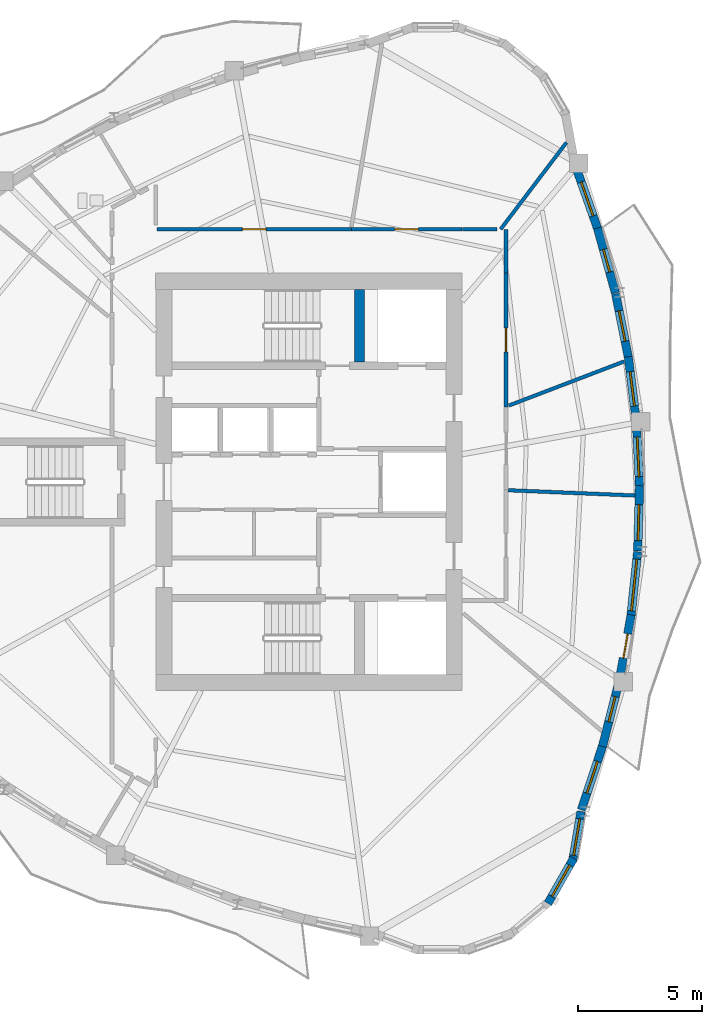
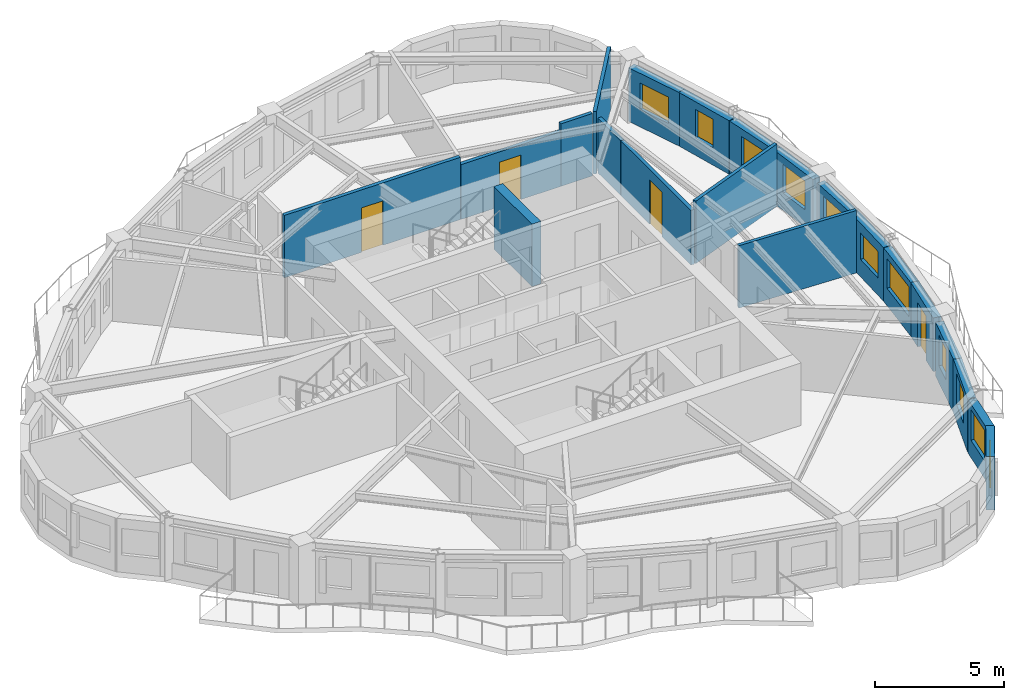
# One storey, part 6 of 11: 21 walls, 11 windows, 4 doors, 15 openings.
"""IFC4 building model written with IfcOpenShell, lengths in metres."""

from ifc_helpers import new_model, si_unit, direction, frame, frame_2d, origin, place, context, subcontext, project, spatial, rectangle, extrude, source, transform, mapped, material, layer, layer_set, type_object, element, fill, save


model = new_model("IFC4")

# Units and contexts
model_context = context("Model", 3, precision=1e-05, world=origin(), true_north=direction((0.0, 1.0)))
body_context = subcontext(model_context, "Body", "Model", "MODEL_VIEW")
ifc_project = project(units=[si_unit("LENGTHUNIT", "METRE"), si_unit("AREAUNIT", "SQUARE_METRE"), si_unit("VOLUMEUNIT", "CUBIC_METRE"), si_unit("PLANEANGLEUNIT", "RADIAN"), si_unit("MASSUNIT", "GRAM", prefix="KILO")], contexts=[model_context])

# Site, building, storey
site_placement = place(None, origin())
site = spatial("IfcSite", under=ifc_project, at=site_placement, CompositionType="ELEMENT")
building_placement = place(site_placement, origin())
building = spatial("IfcBuilding", under=site, at=building_placement, Name="Qafzar Sky-Pleat Residences", CompositionType="ELEMENT")
storey_placement = place(building_placement, frame((0.0, 0.0, 165.0)))
storey = spatial("IfcBuildingStorey", under=building, at=storey_placement, Name="L49", CompositionType="ELEMENT", Elevation=165.0)

# Wall, opening, door
ifc_material_1 = material(Name="Acoustic gypsum plasterboard partition", Category="gypsum")
ifc_layer_1 = layer(ifc_material_1, 0.159912109375)
ifc_layer_set_1 = layer_set([ifc_layer_1], Name="Acoustic gypsum plasterboard partition")
wall_type_1 = type_object("IfcWallType", Name="PART-COR-160", PredefinedType="PARTITIONING", material=ifc_layer_set_1)
wall_1_placement = place(storey_placement, frame((24.200927734375, 36.22998046875, 0.0), z_axis=(0.0, 0.0, 1.0), x_axis=(1.0, 0.0, 0.0)))
wall_1 = element("IfcWall", 1, at=wall_1_placement, inside=storey, type_object=wall_type_1, Name="L49 Partition Wall PART-L49-PW-002", PredefinedType="PARTITIONING", context=body_context, shape_type="SweptSolid", body=[
    extrude(rectangle(XDim=7.8681640625, YDim=0.159912109375, at=frame_2d((3.93408203125, 0.0))), origin(), (0.0, 0.0, 1.0), 2.949951171875),
])
opening_1_placement = place(wall_1_placement, frame((3.45556640625, 0.0, 0.0)))
opening_1 = element("IfcOpeningElement", 2, at=opening_1_placement, cuts=wall_1, Name="Opening ID-06", PredefinedType="OPENING", context=body_context, shape_type="SweptSolid", body=[
    extrude(rectangle(XDim=0.9599609375, YDim=2.10009765625, at=frame_2d((0.47998046875, 1.050048828125))), frame((0.0, 0.08984375, 0.0), z_axis=(0.0, -1.0, 0.0), x_axis=(1.0, 0.0, 0.0)), (0.0, 0.0, 1.0), 0.179931640625),
])
ifc_material_2 = material(Name="Timber-faced fire door", Category="wood")
door_type_1 = type_object("IfcDoorType", Name="DR-STD-960", OperationType="NOTDEFINED", PredefinedType="DOOR", material=ifc_material_2)
shared_shape_1 = source(origin(), body_context, "Body", "SweptSolid", [
    extrude(rectangle(XDim=0.9599609375, YDim=2.10009765625, at=frame_2d((0.47998046875, 1.050048828125))), frame((0.0, 0.02490234375, 0.0), z_axis=(0.0, -1.0, 0.0), x_axis=(1.0, 0.0, 0.0)), (0.0, 0.0, 1.0), 0.050048828125),
])
door_1_placement = place(opening_1_placement, origin())
door_1 = element("IfcDoor", 3, at=door_1_placement, inside=storey, type_object=door_type_1, Name="L49 Postdoctoral Admin Office Door", OperationType="SINGLE_SWING_LEFT", OverallHeight=2.10009765625, OverallWidth=0.9599609375, PredefinedType="DOOR", context=body_context, shape_type="MappedRepresentation", body=[
    mapped(shared_shape_1, transform((0.0, 0.0, 0.0), x_axis=(1.0, 0.0, 0.0), y_axis=(0.0, 1.0, 0.0), z_axis=(0.0, 0.0, 1.0), scale=1.0)),
])
fill(opening_1, door_1)

wall_2_placement = place(storey_placement, frame((38.330078125, 34.449951171875, 0.0), z_axis=(0.0, 0.0, 1.0), x_axis=(0.0, -1.0, 0.0)))
wall_2 = element("IfcWall", 4, at=wall_2_placement, inside=storey, type_object=wall_type_1, Name="L49 Partition Wall PART-L49-PW-003", PredefinedType="PARTITIONING", context=body_context, shape_type="SweptSolid", body=[
    extrude(rectangle(XDim=5.416015625, YDim=0.159912109375, at=frame_2d((2.7080078125, 0.0))), origin(), (0.0, 0.0, 1.0), 2.587890625),
])
opening_2_placement = place(wall_2_placement, frame((2.220458984375, 0.0, 0.0)))
opening_2 = element("IfcOpeningElement", 5, at=opening_2_placement, cuts=wall_2, Name="Opening ID-06", PredefinedType="OPENING", context=body_context, shape_type="SweptSolid", body=[
    extrude(rectangle(XDim=0.9599609375, YDim=2.10009765625, at=frame_2d((0.47998046875, 1.050048828125))), frame((0.0, 0.08984375, 0.0), z_axis=(0.0, -1.0, 0.0), x_axis=(1.0, 0.0, 0.0)), (0.0, 0.0, 1.0), 0.179931640625),
])
door_2_placement = place(opening_2_placement, origin())
door_2 = element("IfcDoor", 6, at=door_2_placement, inside=storey, type_object=door_type_1, Name="L49 Media Screening Room Door", OperationType="SINGLE_SWING_RIGHT", OverallHeight=2.10009765625, OverallWidth=0.9599609375, PredefinedType="DOOR", context=body_context, shape_type="MappedRepresentation", body=[
    mapped(shared_shape_1, transform((0.0, 0.0, 0.0), x_axis=(1.0, 0.0, 0.0), y_axis=(0.0, 1.0, 0.0), z_axis=(0.0, 0.0, 1.0), scale=1.0)),
])
fill(opening_2, door_2)

wall_3_placement = place(storey_placement, frame((32.083984375, 36.22998046875, 0.0), z_axis=(0.0, 0.0, 1.0), x_axis=(1.0, 0.0, 0.0)))
wall_3 = element("IfcWall", 7, at=wall_3_placement, inside=storey, type_object=wall_type_1, Name="L49 Partition Wall PART-L49-PW-006", PredefinedType="PARTITIONING", context=body_context, shape_type="SweptSolid", body=[
    extrude(rectangle(XDim=4.466064453125, YDim=0.159912109375, at=frame_2d((2.23291015625, 0.0))), origin(), (0.0, 0.0, 1.0), 2.587890625),
])
opening_3_placement = place(wall_3_placement, frame((1.738037109375, 0.0, 0.0)))
opening_3 = element("IfcOpeningElement", 8, at=opening_3_placement, cuts=wall_3, Name="Opening ID-06", PredefinedType="OPENING", context=body_context, shape_type="SweptSolid", body=[
    extrude(rectangle(XDim=0.9599609375, YDim=2.10009765625, at=frame_2d((0.47998046875, 1.050048828125))), frame((0.0, 0.08984375, 0.0), z_axis=(0.0, -1.0, 0.0), x_axis=(1.0, 0.0, 0.0)), (0.0, 0.0, 1.0), 0.179931640625),
])
door_3_placement = place(opening_3_placement, origin())
door_3 = element("IfcDoor", 9, at=door_3_placement, inside=storey, type_object=door_type_1, Name="L49 Reading Library Door", OperationType="SINGLE_SWING_LEFT", OverallHeight=2.10009765625, OverallWidth=0.9599609375, PredefinedType="DOOR", context=body_context, shape_type="MappedRepresentation", body=[
    mapped(shared_shape_1, transform((0.0, 0.0, 0.0), x_axis=(1.0, 0.0, 0.0), y_axis=(0.0, 1.0, 0.0), z_axis=(0.0, 0.0, 1.0), scale=1.0)),
])
fill(opening_3, door_3)

# Walls
wall_4_placement = place(storey_placement, frame((38.330078125, 34.465087890625, 0.0), z_axis=(0.0, 0.0, 1.0), x_axis=(0.0, 1.0, 0.0)))
element("IfcWall", 10, at=wall_4_placement, inside=storey, type_object=wall_type_1, Name="L49 Partition Wall PART-L49-PW-022", PredefinedType="PARTITIONING", context=body_context, shape_type="SweptSolid", body=[
    extrude(rectangle(XDim=1.764892578125, YDim=0.159912109375, at=frame_2d((0.88232421875, 0.0))), origin(), (0.0, 0.0, 1.0), 2.587890625),
])
wall_5_placement = place(storey_placement, frame((36.56494140625, 36.22998046875, 0.0), z_axis=(0.0, 0.0, 1.0), x_axis=(1.0, 0.0, 0.0)))
element("IfcWall", 11, at=wall_5_placement, inside=storey, type_object=wall_type_1, Name="L49 Partition Wall PART-L49-PW-024", PredefinedType="PARTITIONING", context=body_context, shape_type="SweptSolid", body=[
    extrude(rectangle(XDim=1.40625, YDim=0.159912109375, at=frame_2d((0.703125, 0.0))), origin(), (0.0, 0.0, 1.0), 2.949951171875),
])
ifc_layer_2 = layer(ifc_material_1, 0.14501953125)
ifc_layer_set_2 = layer_set([ifc_layer_2], Name="Acoustic gypsum plasterboard partition")
wall_type_2 = type_object("IfcWallType", Name="PART-UNIT-145", PredefinedType="PARTITIONING", material=ifc_layer_set_2)
wall_6_placement = place(storey_placement, frame((38.4208984375, 25.664306640625, 0.0), z_axis=(0.0, 0.0, 1.0), x_axis=(0.999132413059, -0.041646382499, 0.0)))
element("IfcWall", 12, at=wall_6_placement, inside=storey, type_object=wall_type_2, Name="L49 Partition Wall PART-L49-PW-015", PredefinedType="PARTITIONING", context=body_context, shape_type="SweptSolid", body=[
    extrude(rectangle(XDim=5.12939453125, YDim=0.14501953125, at=frame_2d((2.564697265625, 0.0))), origin(), (0.0, 0.0, 1.0), 2.949951171875),
])
wall_7_placement = place(storey_placement, frame((38.443359375, 29.09228515625, 0.0), z_axis=(0.0, 0.0, 1.0), x_axis=(0.934064302859, 0.357104855923, 0.0)))
element("IfcWall", 13, at=wall_7_placement, inside=storey, type_object=wall_type_2, Name="L49 Partition Wall PART-L49-PW-016", PredefinedType="PARTITIONING", context=body_context, shape_type="SweptSolid", body=[
    extrude(rectangle(XDim=4.994873046875, YDim=0.14501953125, at=frame_2d((2.49755859375, 0.0))), origin(), (0.0, 0.0, 1.0), 2.949951171875),
])
wall_8_placement = place(storey_placement, frame((38.112060546875, 36.22998046875, 0.0), z_axis=(0.0, 0.0, 1.0), x_axis=(0.604495658019, 0.796608435453, 0.0)))
element("IfcWall", 14, at=wall_8_placement, inside=storey, type_object=wall_type_2, Name="L49 Partition Wall PART-L49-PW-018", PredefinedType="PARTITIONING", context=body_context, shape_type="SweptSolid", body=[
    extrude(rectangle(XDim=4.404541015625, YDim=0.14501953125, at=frame_2d((2.2021484375, 0.0))), origin(), (0.0, 0.0, 1.0), 2.949951171875),
])

# Wall, opening, window
ifc_material_3 = material(Name="Precast concrete C40/50 with honed Riyadh limestone", Category="concrete")
ifc_layer_3 = layer(ifc_material_3, 0.340087890625)
ifc_layer_set_3 = layer_set([ifc_layer_3], Name="Precast concrete C40/50 with honed Riyadh limestone")
wall_type_3 = type_object("IfcWallType", Name="WALL-EXT-340", PredefinedType="SOLIDWALL", material=ifc_layer_set_3)
wall_9_placement = place(storey_placement, frame((40.02685546875, 8.934326171875, 0.0), z_axis=(0.0, 0.0, 1.0), x_axis=(0.495852152567, 0.868406956901, 0.0)))
wall_9 = element("IfcWall", 15, at=wall_9_placement, inside=storey, type_object=wall_type_3, Name="L49 Limestone Facade Wall 21", PredefinedType="SOLIDWALL", context=body_context, shape_type="SweptSolid", body=[
    extrude(rectangle(XDim=2.10888671875, YDim=0.340087890625, at=frame_2d((1.054443359375, 0.0))), origin(), (0.0, 0.0, 1.0), 2.530029296875),
])
opening_4_placement = place(wall_9_placement, frame((0.329345703125, 0.0, 0.820068359375)))
opening_4 = element("IfcOpeningElement", 16, at=opening_4_placement, cuts=wall_9, Name="Opening WN-15", PredefinedType="OPENING", context=body_context, shape_type="SweptSolid", body=[
    extrude(rectangle(XDim=1.449951171875, YDim=1.25, at=frame_2d((0.72509765625, 0.625))), frame((0.0, 0.18017578125, 0.0), z_axis=(0.0, -1.0, 0.0), x_axis=(1.0, 0.0, 0.0)), (0.0, 0.0, 1.0), 0.360107421875),
])
ifc_material_4 = material(Name="Solar-control low-E glass in bronze aluminium frame", Category="glass")
window_type_1 = type_object("IfcWindowType", Name="WIN-15", PartitioningType="SINGLE_PANEL", PredefinedType="WINDOW", material=ifc_material_4)
shared_shape_2 = source(origin(), body_context, "Body", "SweptSolid", [
    extrude(rectangle(XDim=1.449951171875, YDim=1.25, at=frame_2d((0.72509765625, 0.625))), frame((0.0, 0.030029296875, 0.0), z_axis=(0.0, -1.0, 0.0), x_axis=(1.0, 0.0, 0.0)), (0.0, 0.0, 1.0), 0.06005859375),
])
window_1_placement = place(opening_4_placement, origin())
window_1 = element("IfcWindow", 17, at=window_1_placement, inside=storey, type_object=window_type_1, Name="L49 Punched Facade Window 21", OverallHeight=1.25, OverallWidth=1.449951171875, PartitioningType="SINGLE_PANEL", PredefinedType="WINDOW", context=body_context, shape_type="MappedRepresentation", body=[
    mapped(shared_shape_2, transform((0.0, 0.0, 0.0), x_axis=(1.0, 0.0, 0.0), y_axis=(0.0, 1.0, 0.0), z_axis=(0.0, 0.0, 1.0), scale=1.0)),
])
fill(opening_4, window_1)

wall_10_placement = place(storey_placement, frame((41.02734375, 10.63916015625, 0.0), z_axis=(0.0, 0.0, 1.0), x_axis=(0.165595781399, 0.986193711794, 0.0)))
wall_10 = element("IfcWall", 18, at=wall_10_placement, inside=storey, type_object=wall_type_3, Name="L49 Limestone Facade Wall 22", PredefinedType="SOLIDWALL", context=body_context, shape_type="SweptSolid", body=[
    extrude(rectangle(XDim=2.05078125, YDim=0.340087890625, at=frame_2d((1.025390625, 0.0))), origin(), (0.0, 0.0, 1.0), 2.530029296875),
])
opening_5_placement = place(wall_10_placement, frame((0.245361328125, 0.0, 0.820068359375)))
opening_5 = element("IfcOpeningElement", 19, at=opening_5_placement, cuts=wall_10, Name="Opening WN-03", PredefinedType="OPENING", context=body_context, shape_type="SweptSolid", body=[
    extrude(rectangle(XDim=1.5, YDim=1.449951171875, at=frame_2d((0.75, 0.72509765625))), frame((0.0, 0.18017578125, 0.0), z_axis=(0.0, -1.0, 0.0), x_axis=(1.0, 0.0, 0.0)), (0.0, 0.0, 1.0), 0.360107421875),
])
window_type_2 = type_object("IfcWindowType", Name="WIN-03", PartitioningType="DOUBLE_PANEL_VERTICAL", PredefinedType="WINDOW", material=ifc_material_4)
shared_shape_3 = source(origin(), body_context, "Body", "SweptSolid", [
    extrude(rectangle(XDim=1.5, YDim=1.449951171875, at=frame_2d((0.75, 0.72509765625))), frame((0.0, 0.030029296875, 0.0), z_axis=(0.0, -1.0, 0.0), x_axis=(1.0, 0.0, 0.0)), (0.0, 0.0, 1.0), 0.06005859375),
])
window_2_placement = place(opening_5_placement, origin())
window_2 = element("IfcWindow", 20, at=window_2_placement, inside=storey, type_object=window_type_2, Name="L49 Punched Facade Window 22", OverallHeight=1.449951171875, OverallWidth=1.5, PartitioningType="SINGLE_PANEL", PredefinedType="WINDOW", context=body_context, shape_type="MappedRepresentation", body=[
    mapped(shared_shape_3, transform((0.0, 0.0, 0.0), x_axis=(1.0, 0.0, 0.0), y_axis=(0.0, 1.0, 0.0), z_axis=(0.0, 0.0, 1.0), scale=1.0)),
])
fill(opening_5, window_2)

wall_11_placement = place(storey_placement, frame((41.3828125, 12.7255859375, 0.0), z_axis=(0.0, 0.0, 1.0), x_axis=(0.314443872574, 0.949276066801, 0.0)))
wall_11 = element("IfcWall", 21, at=wall_11_placement, inside=storey, type_object=wall_type_3, Name="L49 Limestone Facade Wall 23", PredefinedType="SOLIDWALL", context=body_context, shape_type="SweptSolid", body=[
    extrude(rectangle(XDim=2.792724609375, YDim=0.340087890625, at=frame_2d((1.396484375, 0.0))), origin(), (0.0, 0.0, 1.0), 2.530029296875),
])
opening_6_placement = place(wall_11_placement, frame((0.71142578125, 0.0, 0.820068359375)))
opening_6 = element("IfcOpeningElement", 22, at=opening_6_placement, cuts=wall_11, Name="Opening WN-04", PredefinedType="OPENING", context=body_context, shape_type="SweptSolid", body=[
    extrude(rectangle(XDim=1.35009765625, YDim=1.449951171875, at=frame_2d((0.675048828125, 0.72509765625))), frame((0.0, 0.18017578125, 0.0), z_axis=(0.0, -1.0, 0.0), x_axis=(1.0, 0.0, 0.0)), (0.0, 0.0, 1.0), 0.360107421875),
])
window_type_3 = type_object("IfcWindowType", Name="WIN-04", PartitioningType="SINGLE_PANEL", PredefinedType="WINDOW", material=ifc_material_4)
shared_shape_4 = source(origin(), body_context, "Body", "SweptSolid", [
    extrude(rectangle(XDim=1.35009765625, YDim=1.449951171875, at=frame_2d((0.675048828125, 0.72509765625))), frame((0.0, 0.030029296875, 0.0), z_axis=(0.0, -1.0, 0.0), x_axis=(1.0, 0.0, 0.0)), (0.0, 0.0, 1.0), 0.06005859375),
])
window_3_placement = place(opening_6_placement, origin())
window_3 = element("IfcWindow", 23, at=window_3_placement, inside=storey, type_object=window_type_3, Name="L49 Punched Facade Window 23", OverallHeight=1.449951171875, OverallWidth=1.35009765625, PartitioningType="SINGLE_PANEL", PredefinedType="WINDOW", context=body_context, shape_type="MappedRepresentation", body=[
    mapped(shared_shape_4, transform((0.0, 0.0, 0.0), x_axis=(1.0, 0.0, 0.0), y_axis=(0.0, 1.0, 0.0), z_axis=(0.0, 0.0, 1.0), scale=1.0)),
])
fill(opening_6, window_3)

wall_12_placement = place(storey_placement, frame((42.236328125, 15.29248046875, 0.0), z_axis=(0.0, 0.0, 1.0), x_axis=(0.24772461275, 0.968830488908, 0.0)))
wall_12 = element("IfcWall", 24, at=wall_12_placement, inside=storey, type_object=wall_type_3, Name="L49 Limestone Facade Wall 24", PredefinedType="SOLIDWALL", context=body_context, shape_type="SweptSolid", body=[
    extrude(rectangle(XDim=2.599853515625, YDim=0.340087890625, at=frame_2d((1.2998046875, 0.0))), origin(), (0.0, 0.0, 1.0), 2.530029296875),
])
opening_7_placement = place(wall_12_placement, frame((1.03271484375, 0.0, 0.820068359375)))
opening_7 = element("IfcOpeningElement", 25, at=opening_7_placement, cuts=wall_12, Name="Opening WN-06", PredefinedType="OPENING", context=body_context, shape_type="SweptSolid", body=[
    extrude(rectangle(XDim=1.050048828125, YDim=1.449951171875, at=frame_2d((0.52490234375, 0.72509765625))), frame((0.0, 0.18017578125, 0.0), z_axis=(0.0, -1.0, 0.0), x_axis=(1.0, 0.0, 0.0)), (0.0, 0.0, 1.0), 0.360107421875),
])
window_type_4 = type_object("IfcWindowType", Name="WIN-06", PartitioningType="SINGLE_PANEL", PredefinedType="WINDOW", material=ifc_material_4)
shared_shape_5 = source(origin(), body_context, "Body", "SweptSolid", [
    extrude(rectangle(XDim=1.050048828125, YDim=1.449951171875, at=frame_2d((0.52490234375, 0.72509765625))), frame((0.0, 0.030029296875, 0.0), z_axis=(0.0, -1.0, 0.0), x_axis=(1.0, 0.0, 0.0)), (0.0, 0.0, 1.0), 0.06005859375),
])
window_4_placement = place(opening_7_placement, origin())
window_4 = element("IfcWindow", 26, at=window_4_placement, inside=storey, type_object=window_type_4, Name="L49 Punched Facade Window 24-2", OverallHeight=1.449951171875, OverallWidth=1.050048828125, PartitioningType="SINGLE_PANEL", PredefinedType="WINDOW", context=body_context, shape_type="MappedRepresentation", body=[
    mapped(shared_shape_5, transform((0.0, 0.0, 0.0), x_axis=(1.0, 0.0, 0.0), y_axis=(0.0, 1.0, 0.0), z_axis=(0.0, 0.0, 1.0), scale=1.0)),
])
fill(opening_7, window_4)

# Wall, opening, door
wall_13_placement = place(storey_placement, frame((42.943603515625, 18.10205078125, 0.0), z_axis=(0.0, 0.0, 1.0), x_axis=(0.177119685378, 0.98418931972, 0.0)))
wall_13 = element("IfcWall", 27, at=wall_13_placement, inside=storey, type_object=wall_type_3, Name="L49 Limestone Facade Wall 25", PredefinedType="SOLIDWALL", context=body_context, shape_type="SweptSolid", body=[
    extrude(rectangle(XDim=2.555419921875, YDim=0.340087890625, at=frame_2d((1.27783203125, 0.0))), origin(), (0.0, 0.0, 1.0), 2.530029296875),
])
opening_8_placement = place(wall_13_placement, frame((0.77783203125, 0.0, 0.0)))
opening_8 = element("IfcOpeningElement", 28, at=opening_8_placement, cuts=wall_13, Name="Opening ED-05", PredefinedType="OPENING", context=body_context, shape_type="SweptSolid", body=[
    extrude(rectangle(XDim=1.0, YDim=2.10009765625, at=frame_2d((0.5, 1.050048828125))), frame((0.0, 0.18017578125, 0.0), z_axis=(0.0, -1.0, 0.0), x_axis=(1.0, 0.0, 0.0)), (0.0, 0.0, 1.0), 0.360107421875),
])
ifc_material_5 = material(Name="Glazed bronze aluminium door", Category="aluminium")
door_type_2 = type_object("IfcDoorType", Name="DR-BAL-1000", OperationType="NOTDEFINED", PredefinedType="DOOR", material=ifc_material_5)
shared_shape_6 = source(origin(), body_context, "Body", "SweptSolid", [
    extrude(rectangle(XDim=1.0, YDim=2.10009765625, at=frame_2d((0.5, 1.050048828125))), frame((0.0, 0.02490234375, 0.0), z_axis=(0.0, -1.0, 0.0), x_axis=(1.0, 0.0, 0.0)), (0.0, 0.0, 1.0), 0.050048828125),
])
door_4_placement = place(opening_8_placement, origin())
door_4 = element("IfcDoor", 29, at=door_4_placement, inside=storey, type_object=door_type_2, Name="L49 Glazed Balcony Door 1", OperationType="SINGLE_SWING_LEFT", OverallHeight=2.10009765625, OverallWidth=1.0, PredefinedType="DOOR", context=body_context, shape_type="MappedRepresentation", body=[
    mapped(shared_shape_6, transform((0.0, 0.0, 0.0), x_axis=(1.0, 0.0, 0.0), y_axis=(0.0, 1.0, 0.0), z_axis=(0.0, 0.0, 1.0), scale=1.0)),
])
fill(opening_8, door_4)

# Wall, opening, window
wall_14_placement = place(storey_placement, frame((43.3837890625, 20.529541015625, 0.0), z_axis=(0.0, 0.0, 1.0), x_axis=(0.103600410634, 0.994618999877, 0.0)))
wall_14 = element("IfcWall", 30, at=wall_14_placement, inside=storey, type_object=wall_type_3, Name="L49 Limestone Facade Wall 26", PredefinedType="SOLIDWALL", context=body_context, shape_type="SweptSolid", body=[
    extrude(rectangle(XDim=2.66064453125, YDim=0.340087890625, at=frame_2d((1.330322265625, 0.0))), origin(), (0.0, 0.0, 1.0), 2.530029296875),
])
opening_9_placement = place(wall_14_placement, frame((0.250244140625, 0.0, 0.820068359375)))
opening_9 = element("IfcOpeningElement", 31, at=opening_9_placement, cuts=wall_14, Name="Opening WN-07", PredefinedType="OPENING", context=body_context, shape_type="SweptSolid", body=[
    extrude(rectangle(XDim=2.10009765625, YDim=1.39990234375, at=frame_2d((1.050048828125, 0.699951171875))), frame((0.0, 0.18017578125, 0.0), z_axis=(0.0, -1.0, 0.0), x_axis=(1.0, 0.0, 0.0)), (0.0, 0.0, 1.0), 0.360107421875),
])
window_type_5 = type_object("IfcWindowType", Name="WIN-07", PartitioningType="DOUBLE_PANEL_VERTICAL", PredefinedType="WINDOW", material=ifc_material_4)
shared_shape_7 = source(origin(), body_context, "Body", "SweptSolid", [
    extrude(rectangle(XDim=2.10009765625, YDim=1.39990234375, at=frame_2d((1.050048828125, 0.699951171875))), frame((0.0, 0.030029296875, 0.0), z_axis=(0.0, -1.0, 0.0), x_axis=(1.0, 0.0, 0.0)), (0.0, 0.0, 1.0), 0.06005859375),
])
window_5_placement = place(opening_9_placement, origin())
window_5 = element("IfcWindow", 32, at=window_5_placement, inside=storey, type_object=window_type_5, Name="L49 Punched Facade Window 26", OverallHeight=1.39990234375, OverallWidth=2.10009765625, PartitioningType="SINGLE_PANEL", PredefinedType="WINDOW", context=body_context, shape_type="MappedRepresentation", body=[
    mapped(shared_shape_7, transform((0.0, 0.0, 0.0), x_axis=(1.0, 0.0, 0.0), y_axis=(0.0, 1.0, 0.0), z_axis=(0.0, 0.0, 1.0), scale=1.0)),
])
fill(opening_9, window_5)

wall_15_placement = place(storey_placement, frame((43.661376953125, 23.202880859375, 0.0), z_axis=(0.0, 0.0, 1.0), x_axis=(0.028240970376, 0.999601144253, 0.0)))
wall_15 = element("IfcWall", 33, at=wall_15_placement, inside=storey, type_object=wall_type_3, Name="L49 Limestone Facade Wall 27", PredefinedType="SOLIDWALL", context=body_context, shape_type="SweptSolid", body=[
    extrude(rectangle(XDim=2.645263671875, YDim=0.340087890625, at=frame_2d((1.32275390625, 0.0))), origin(), (0.0, 0.0, 1.0), 2.530029296875),
])
opening_10_placement = place(wall_15_placement, frame((0.4267578125, 0.0, 0.820068359375)))
opening_10 = element("IfcOpeningElement", 34, at=opening_10_placement, cuts=wall_15, Name="Opening WN-15", PredefinedType="OPENING", context=body_context, shape_type="SweptSolid", body=[
    extrude(rectangle(XDim=1.449951171875, YDim=1.25, at=frame_2d((0.72509765625, 0.625))), frame((0.0, 0.18017578125, 0.0), z_axis=(0.0, -1.0, 0.0), x_axis=(1.0, 0.0, 0.0)), (0.0, 0.0, 1.0), 0.360107421875),
])
window_6_placement = place(opening_10_placement, origin())
window_6 = element("IfcWindow", 35, at=window_6_placement, inside=storey, type_object=window_type_1, Name="L49 Punched Facade Window 27", OverallHeight=1.25, OverallWidth=1.449951171875, PartitioningType="SINGLE_PANEL", PredefinedType="WINDOW", context=body_context, shape_type="MappedRepresentation", body=[
    mapped(shared_shape_2, transform((0.0, 0.0, 0.0), x_axis=(1.0, 0.0, 0.0), y_axis=(0.0, 1.0, 0.0), z_axis=(0.0, 0.0, 1.0), scale=1.0)),
])
fill(opening_10, window_6)

wall_16_placement = place(storey_placement, frame((43.737060546875, 25.75830078125, 0.0), z_axis=(0.0, 0.0, 1.0), x_axis=(-0.047648310491, 0.998864174204, 0.0)))
wall_16 = element("IfcWall", 36, at=wall_16_placement, inside=storey, type_object=wall_type_3, Name="L49 Limestone Facade Wall 28", PredefinedType="SOLIDWALL", context=body_context, shape_type="SweptSolid", body=[
    extrude(rectangle(XDim=2.5107421875, YDim=0.340087890625, at=frame_2d((1.25537109375, 0.0))), origin(), (0.0, 0.0, 1.0), 2.530029296875),
])
opening_11_placement = place(wall_16_placement, frame((0.460205078125, 0.0, 0.820068359375)))
opening_11 = element("IfcOpeningElement", 37, at=opening_11_placement, cuts=wall_16, Name="Opening WN-09", PredefinedType="OPENING", context=body_context, shape_type="SweptSolid", body=[
    extrude(rectangle(XDim=1.60009765625, YDim=1.35009765625, at=frame_2d((0.800048828125, 0.675048828125))), frame((0.0, 0.18017578125, 0.0), z_axis=(0.0, -1.0, 0.0), x_axis=(1.0, 0.0, 0.0)), (0.0, 0.0, 1.0), 0.360107421875),
])
window_type_6 = type_object("IfcWindowType", Name="WIN-09", PartitioningType="DOUBLE_PANEL_VERTICAL", PredefinedType="WINDOW", material=ifc_material_4)
shared_shape_8 = source(origin(), body_context, "Body", "SweptSolid", [
    extrude(rectangle(XDim=1.60009765625, YDim=1.35009765625, at=frame_2d((0.800048828125, 0.675048828125))), frame((0.0, 0.030029296875, 0.0), z_axis=(0.0, -1.0, 0.0), x_axis=(1.0, 0.0, 0.0)), (0.0, 0.0, 1.0), 0.06005859375),
])
window_7_placement = place(opening_11_placement, origin())
window_7 = element("IfcWindow", 38, at=window_7_placement, inside=storey, type_object=window_type_6, Name="L49 Punched Facade Window 28", OverallHeight=1.35009765625, OverallWidth=1.60009765625, PartitioningType="SINGLE_PANEL", PredefinedType="WINDOW", context=body_context, shape_type="MappedRepresentation", body=[
    mapped(shared_shape_8, transform((0.0, 0.0, 0.0), x_axis=(1.0, 0.0, 0.0), y_axis=(0.0, 1.0, 0.0), z_axis=(0.0, 0.0, 1.0), scale=1.0)),
])
fill(opening_11, window_7)

wall_17_placement = place(storey_placement, frame((43.592041015625, 28.561767578125, 0.0), z_axis=(0.0, 0.0, 1.0), x_axis=(-0.122868649786, 0.992422941542, 0.0)))
wall_17 = element("IfcWall", 39, at=wall_17_placement, inside=storey, type_object=wall_type_3, Name="L49 Limestone Facade Wall 29", PredefinedType="SOLIDWALL", context=body_context, shape_type="SweptSolid", body=[
    extrude(rectangle(XDim=2.525390625, YDim=0.340087890625, at=frame_2d((1.2626953125, 0.0))), origin(), (0.0, 0.0, 1.0), 2.530029296875),
])
opening_12_placement = place(wall_17_placement, frame((0.51708984375, 0.0, 0.820068359375)))
opening_12 = element("IfcOpeningElement", 40, at=opening_12_placement, cuts=wall_17, Name="Opening WN-10", PredefinedType="OPENING", context=body_context, shape_type="SweptSolid", body=[
    extrude(rectangle(XDim=1.39990234375, YDim=1.35009765625, at=frame_2d((0.699951171875, 0.675048828125))), frame((0.0, 0.18017578125, 0.0), z_axis=(0.0, -1.0, 0.0), x_axis=(1.0, 0.0, 0.0)), (0.0, 0.0, 1.0), 0.360107421875),
])
window_type_7 = type_object("IfcWindowType", Name="WIN-10", PartitioningType="SINGLE_PANEL", PredefinedType="WINDOW", material=ifc_material_4)
shared_shape_9 = source(origin(), body_context, "Body", "SweptSolid", [
    extrude(rectangle(XDim=1.39990234375, YDim=1.35009765625, at=frame_2d((0.699951171875, 0.675048828125))), frame((0.0, 0.030029296875, 0.0), z_axis=(0.0, -1.0, 0.0), x_axis=(1.0, 0.0, 0.0)), (0.0, 0.0, 1.0), 0.06005859375),
])
window_8_placement = place(opening_12_placement, origin())
window_8 = element("IfcWindow", 41, at=window_8_placement, inside=storey, type_object=window_type_7, Name="L49 Punched Facade Window 29", OverallHeight=1.35009765625, OverallWidth=1.39990234375, PartitioningType="SINGLE_PANEL", PredefinedType="WINDOW", context=body_context, shape_type="MappedRepresentation", body=[
    mapped(shared_shape_9, transform((0.0, 0.0, 0.0), x_axis=(1.0, 0.0, 0.0), y_axis=(0.0, 1.0, 0.0), z_axis=(0.0, 0.0, 1.0), scale=1.0)),
])
fill(opening_12, window_8)

wall_18_placement = place(storey_placement, frame((43.2958984375, 30.980712890625, 0.0), z_axis=(0.0, 0.0, 1.0), x_axis=(-0.196185936796, 0.980566712776, 0.0)))
wall_18 = element("IfcWall", 42, at=wall_18_placement, inside=storey, type_object=wall_type_3, Name="L49 Limestone Facade Wall 30", PredefinedType="SOLIDWALL", context=body_context, shape_type="SweptSolid", body=[
    extrude(rectangle(XDim=2.6904296875, YDim=0.340087890625, at=frame_2d((1.34521484375, 0.0))), origin(), (0.0, 0.0, 1.0), 2.530029296875),
])
opening_13_placement = place(wall_18_placement, frame((0.730224609375, 0.0, 0.820068359375)))
opening_13 = element("IfcOpeningElement", 43, at=opening_13_placement, cuts=wall_18, Name="Opening WN-11", PredefinedType="OPENING", context=body_context, shape_type="SweptSolid", body=[
    extrude(rectangle(XDim=1.25, YDim=1.35009765625, at=frame_2d((0.625, 0.675048828125))), frame((0.0, 0.18017578125, 0.0), z_axis=(0.0, -1.0, 0.0), x_axis=(1.0, 0.0, 0.0)), (0.0, 0.0, 1.0), 0.360107421875),
])
window_type_8 = type_object("IfcWindowType", Name="WIN-11", PartitioningType="SINGLE_PANEL", PredefinedType="WINDOW", material=ifc_material_4)
shared_shape_10 = source(origin(), body_context, "Body", "SweptSolid", [
    extrude(rectangle(XDim=1.25, YDim=1.35009765625, at=frame_2d((0.625, 0.675048828125))), frame((0.0, 0.030029296875, 0.0), z_axis=(0.0, -1.0, 0.0), x_axis=(1.0, 0.0, 0.0)), (0.0, 0.0, 1.0), 0.06005859375),
])
window_9_placement = place(opening_13_placement, origin())
window_9 = element("IfcWindow", 44, at=window_9_placement, inside=storey, type_object=window_type_8, Name="L49 Punched Facade Window 30", OverallHeight=1.35009765625, OverallWidth=1.25, PartitioningType="SINGLE_PANEL", PredefinedType="WINDOW", context=body_context, shape_type="MappedRepresentation", body=[
    mapped(shared_shape_10, transform((0.0, 0.0, 0.0), x_axis=(1.0, 0.0, 0.0), y_axis=(0.0, 1.0, 0.0), z_axis=(0.0, 0.0, 1.0), scale=1.0)),
])
fill(opening_13, window_9)

wall_19_placement = place(storey_placement, frame((42.76171875, 33.64599609375, 0.0), z_axis=(0.0, 0.0, 1.0), x_axis=(-0.266469604257, 0.963843322334, 0.0)))
wall_19 = element("IfcWall", 45, at=wall_19_placement, inside=storey, type_object=wall_type_3, Name="L49 Limestone Facade Wall 31", PredefinedType="SOLIDWALL", context=body_context, shape_type="SweptSolid", body=[
    extrude(rectangle(XDim=2.73486328125, YDim=0.340087890625, at=frame_2d((1.367431640625, 0.0))), origin(), (0.0, 0.0, 1.0), 2.530029296875),
])
opening_14_placement = place(wall_19_placement, frame((0.88232421875, 0.0, 0.820068359375)))
opening_14 = element("IfcOpeningElement", 46, at=opening_14_placement, cuts=wall_19, Name="Opening WN-12", PredefinedType="OPENING", context=body_context, shape_type="SweptSolid", body=[
    extrude(rectangle(XDim=0.949951171875, YDim=1.35009765625, at=frame_2d((0.47509765625, 0.675048828125))), frame((0.0, 0.18017578125, 0.0), z_axis=(0.0, -1.0, 0.0), x_axis=(1.0, 0.0, 0.0)), (0.0, 0.0, 1.0), 0.360107421875),
])
window_type_9 = type_object("IfcWindowType", Name="WIN-12", PartitioningType="SINGLE_PANEL", PredefinedType="WINDOW", material=ifc_material_4)
shared_shape_11 = source(origin(), body_context, "Body", "SweptSolid", [
    extrude(rectangle(XDim=0.949951171875, YDim=1.35009765625, at=frame_2d((0.47509765625, 0.675048828125))), frame((0.0, 0.030029296875, 0.0), z_axis=(0.0, -1.0, 0.0), x_axis=(1.0, 0.0, 0.0)), (0.0, 0.0, 1.0), 0.06005859375),
])
window_10_placement = place(opening_14_placement, origin())
window_10 = element("IfcWindow", 47, at=window_10_placement, inside=storey, type_object=window_type_9, Name="L49 Punched Facade Window 31", OverallHeight=1.35009765625, OverallWidth=0.949951171875, PartitioningType="SINGLE_PANEL", PredefinedType="WINDOW", context=body_context, shape_type="MappedRepresentation", body=[
    mapped(shared_shape_11, transform((0.0, 0.0, 0.0), x_axis=(1.0, 0.0, 0.0), y_axis=(0.0, 1.0, 0.0), z_axis=(0.0, 0.0, 1.0), scale=1.0)),
])
fill(opening_14, window_10)

wall_20_placement = place(storey_placement, frame((42.059326171875, 36.1982421875, 0.0), z_axis=(0.0, 0.0, 1.0), x_axis=(-0.332714406781, 0.943027636668, 0.0)))
wall_20 = element("IfcWall", 48, at=wall_20_placement, inside=storey, type_object=wall_type_3, Name="L49 Limestone Facade Wall 32", PredefinedType="SOLIDWALL", context=body_context, shape_type="SweptSolid", body=[
    extrude(rectangle(XDim=2.65771484375, YDim=0.340087890625, at=frame_2d((1.328857421875, 0.0))), origin(), (0.0, 0.0, 1.0), 2.530029296875),
])
opening_15_placement = place(wall_20_placement, frame((0.60888671875, 0.0, 0.820068359375)))
opening_15 = element("IfcOpeningElement", 49, at=opening_15_placement, cuts=wall_20, Name="Opening WN-15", PredefinedType="OPENING", context=body_context, shape_type="SweptSolid", body=[
    extrude(rectangle(XDim=1.449951171875, YDim=1.25, at=frame_2d((0.72509765625, 0.625))), frame((0.0, 0.18017578125, 0.0), z_axis=(0.0, -1.0, 0.0), x_axis=(1.0, 0.0, 0.0)), (0.0, 0.0, 1.0), 0.360107421875),
])
window_11_placement = place(opening_15_placement, origin())
window_11 = element("IfcWindow", 50, at=window_11_placement, inside=storey, type_object=window_type_1, Name="L49 Punched Facade Window 32", OverallHeight=1.25, OverallWidth=1.449951171875, PartitioningType="SINGLE_PANEL", PredefinedType="WINDOW", context=body_context, shape_type="MappedRepresentation", body=[
    mapped(shared_shape_2, transform((0.0, 0.0, 0.0), x_axis=(1.0, 0.0, 0.0), y_axis=(0.0, 1.0, 0.0), z_axis=(0.0, 0.0, 1.0), scale=1.0)),
])
fill(opening_15, window_11)

# Wall
ifc_material_6 = material(Name="Concrete C60/75", Category="concrete")
ifc_layer_4 = layer(ifc_material_6, 0.39990234375)
ifc_layer_set_4 = layer_set([ifc_layer_4], Name="Concrete C60/75")
wall_type_4 = type_object("IfcWallType", Name="WALL-SHEAR-400", PredefinedType="SHEAR", material=ifc_layer_set_4)
wall_21_placement = place(storey_placement, frame((32.39990234375, 30.85009765625, 0.0), z_axis=(0.0, 0.0, 1.0), x_axis=(0.0, 1.0, 0.0)))
element("IfcWall", 51, at=wall_21_placement, inside=storey, type_object=wall_type_4, Name="L49 Stair ST2 East Dividing Wall", PredefinedType="SHEAR", context=body_context, shape_type="SweptSolid", body=[
    extrude(rectangle(XDim=2.949951171875, YDim=0.39990234375, at=frame_2d((1.47509765625, 0.0))), origin(), (0.0, 0.0, 1.0), 2.949951171875),
])

save(model, "model.ifc")
